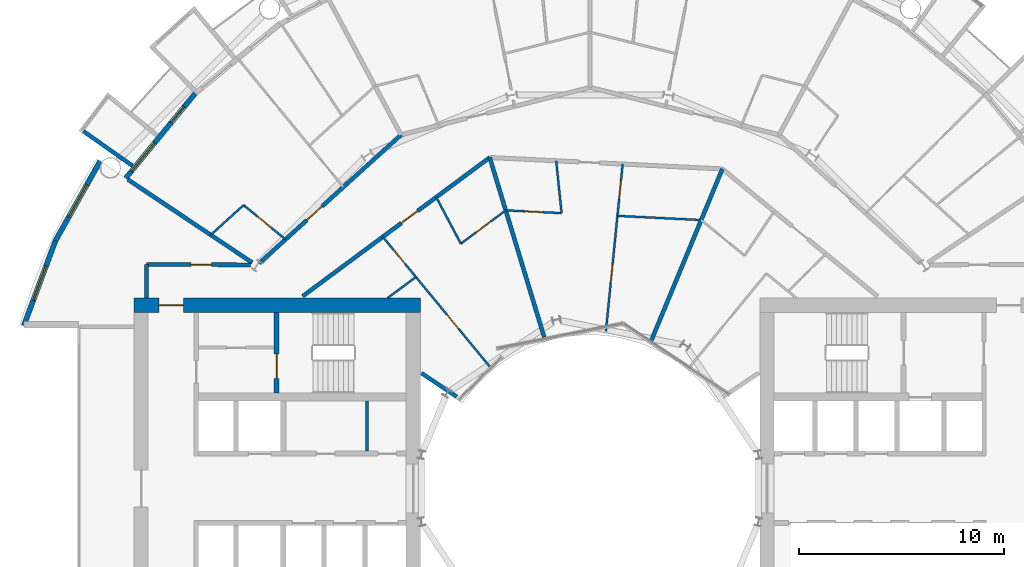
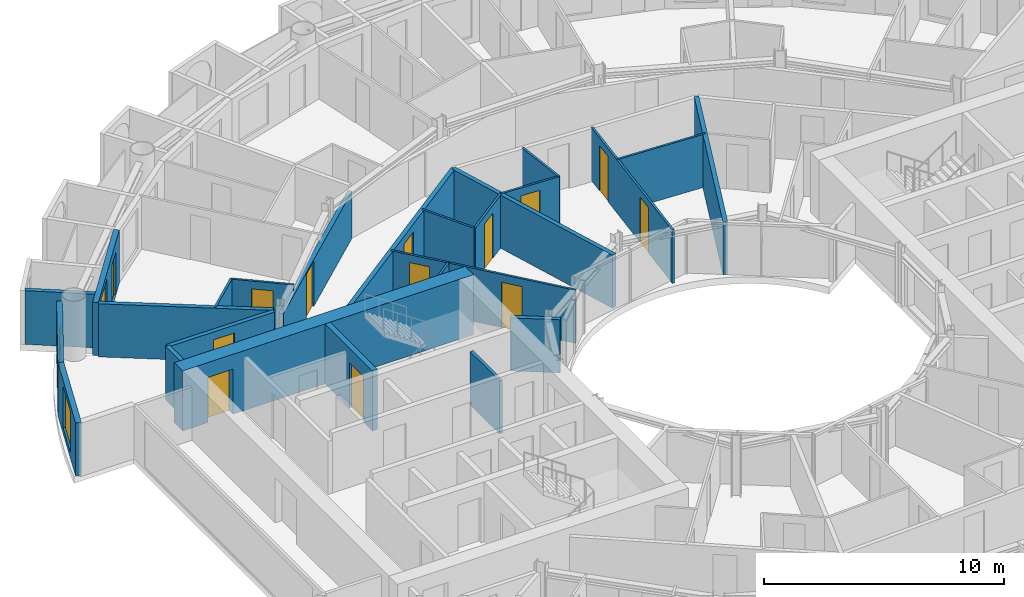
# One storey, part 18 of 26: 25 walls, 13 doors, 3 windows, 16 openings.
"""IFC4 building model written with IfcOpenShell, lengths in metres."""

from ifc_helpers import new_model, si_unit, direction, frame, frame_2d, origin, place, context, subcontext, project, spatial, rectangle, extrude, material, layer, layer_set, type_object, element, fill, save


model = new_model("IFC4")

# Units and contexts
model_context = context("Model", 3, precision=1e-05, world=origin(), true_north=direction((0.0, 1.0)))
body_context = subcontext(model_context, "Body", "Model", "MODEL_VIEW")
ifc_project = project(units=[si_unit("LENGTHUNIT", "METRE"), si_unit("AREAUNIT", "SQUARE_METRE"), si_unit("VOLUMEUNIT", "CUBIC_METRE"), si_unit("PLANEANGLEUNIT", "RADIAN"), si_unit("MASSUNIT", "GRAM", prefix="KILO")], contexts=[model_context])

# Site, building, storey
site_placement = place(None, origin())
site = spatial("IfcSite", under=ifc_project, at=site_placement, CompositionType="ELEMENT")
building_placement = place(site_placement, origin())
building = spatial("IfcBuilding", under=site, at=building_placement, Name="Maasbend Ring Residences", CompositionType="ELEMENT")
storey_placement = place(building_placement, frame((0.0, 0.0, 81.89990234375)))
storey = spatial("IfcBuildingStorey", under=building, at=storey_placement, Name="L23", CompositionType="ELEMENT", Elevation=81.89990234375)

# Wall, opening, door
ifc_material_1 = material(Name="Concrete C70/85", Category="concrete")
ifc_layer_1 = layer(ifc_material_1, 0.25)
ifc_layer_set_1 = layer_set([ifc_layer_1], Name="Concrete C70/85")
wall_type_1 = type_object("IfcWallType", Name="CORE WALL 250 C70/85", PredefinedType="SHEAR", material=ifc_layer_set_1)
wall_1_placement = place(storey_placement, frame((-15.324951171875, 8.60009765625, 0.0), z_axis=(0.0, 0.0, 1.0), x_axis=(0.0, -1.0, 0.0)))
wall_1 = element("IfcWall", 1, at=wall_1_placement, inside=storey, type_object=wall_type_1, Name="L23 core W wall STES", PredefinedType="SHEAR", context=body_context, shape_type="SweptSolid", body=[
    extrude(rectangle(XDim=3.9501953125, YDim=0.25, at=frame_2d((1.97509765625, 0.0))), origin(), (0.0, 0.0, 1.0), 3.050048828125),
])
opening_1_placement = place(wall_1_placement, frame((2.02490234375, 0.0, 0.0)))
opening_1 = element("IfcOpeningElement", 2, at=opening_1_placement, cuts=wall_1, Name="Opening D-W2310", PredefinedType="OPENING", context=body_context, shape_type="SweptSolid", body=[
    extrude(rectangle(XDim=1.199951171875, YDim=2.300048828125, at=frame_2d((0.60009765625, 1.14990234375))), frame((0.0, 0.135009765625, 0.0), z_axis=(0.0, -1.0, 0.0), x_axis=(1.0, 0.0, 0.0)), (0.0, 0.0, 1.0), 0.27001953125),
])
ifc_material_2 = material(Name="Steel, powder coated", Category="steel")
door_type_1 = type_object("IfcDoorType", Name="STAIR DOOR 1200 X 2300 FD60", OperationType="NOTDEFINED", PredefinedType="DOOR", material=ifc_material_2)
door_1_placement = place(opening_1_placement, origin())
door_1 = element("IfcDoor", 3, at=door_1_placement, inside=storey, type_object=door_type_1, Name="Stair door ST-W L23", OperationType="SINGLE_SWING_LEFT", OverallHeight=2.300048828125, OverallWidth=1.199951171875, PredefinedType="DOOR", context=body_context, shape_type="SweptSolid", body=[
    extrude(rectangle(XDim=1.199951171875, YDim=2.300048828125, at=frame_2d((0.60009765625, 1.14990234375))), frame((0.0, 0.02490234375, 0.0), z_axis=(0.0, -1.0, 0.0), x_axis=(1.0, 0.0, 0.0)), (0.0, 0.0, 1.0), 0.050048828125),
])
fill(opening_1, door_1)

ifc_material_3 = material(Name="Concrete C70/85", Category="concrete")
ifc_layer_2 = layer(ifc_material_3, 0.699951171875)
ifc_layer_set_2 = layer_set([ifc_layer_2], Name="Concrete C70/85")
wall_type_2 = type_object("IfcWallType", Name="CORE WALL 700 C70/85", PredefinedType="SHEAR", material=ifc_layer_set_2)
wall_2_placement = place(storey_placement, frame((-8.300048828125, 8.949951171875, 0.0), z_axis=(0.0, 0.0, 1.0), x_axis=(-1.0, 0.0, 0.0)))
wall_2 = element("IfcWall", 4, at=wall_2_placement, inside=storey, type_object=wall_type_2, Name="L23 core W wall PS", PredefinedType="SHEAR", context=body_context, shape_type="SweptSolid", body=[
    extrude(rectangle(XDim=14.0, YDim=0.699951171875, at=frame_2d((7.0, 0.0))), origin(), (0.0, 0.0, 1.0), 3.050048828125),
])
opening_2_placement = place(wall_2_placement, frame((11.574951171875, 0.0, 0.0)))
opening_2 = element("IfcOpeningElement", 5, at=opening_2_placement, cuts=wall_2, Name="Opening D-W2314", PredefinedType="OPENING", context=body_context, shape_type="SweptSolid", body=[
    extrude(rectangle(XDim=1.199951171875, YDim=2.300048828125, at=frame_2d((0.60009765625, 1.14990234375))), frame((0.0, 0.35986328125, 0.0), z_axis=(0.0, -1.0, 0.0), x_axis=(1.0, 0.0, 0.0)), (0.0, 0.0, 1.0), 0.719970703125),
])
ifc_material_4 = material(Name="Steel, powder coated", Category="steel")
door_type_2 = type_object("IfcDoorType", Name="CORRIDOR DOOR 1200 X 2300 FD30S", OperationType="NOTDEFINED", PredefinedType="DOOR", material=ifc_material_4)
door_2_placement = place(opening_2_placement, origin())
door_2 = element("IfcDoor", 6, at=door_2_placement, inside=storey, type_object=door_type_2, Name="Corridor door L23", OperationType="SINGLE_SWING_LEFT", OverallHeight=2.300048828125, OverallWidth=1.199951171875, PredefinedType="DOOR", context=body_context, shape_type="SweptSolid", body=[
    extrude(rectangle(XDim=1.199951171875, YDim=2.300048828125, at=frame_2d((0.60009765625, 1.14990234375))), frame((0.0, 0.02490234375, 0.0), z_axis=(0.0, -1.0, 0.0), x_axis=(1.0, 0.0, 0.0)), (0.0, 0.0, 1.0), 0.050048828125),
])
fill(opening_2, door_2)

ifc_material_5 = material(Name="Concrete C30/37", Category="concrete")
ifc_layer_3 = layer(ifc_material_5, 0.199951171875)
ifc_layer_set_3 = layer_set([ifc_layer_3], Name="Concrete C30/37")
wall_type_3 = type_object("IfcWallType", Name="CORRIDOR WALL 200 CONCRETE", PredefinedType="PARTITIONING", material=ifc_layer_set_3)
wall_3_placement = place(storey_placement, frame((-21.675048828125, 10.949951171875, 0.0), z_axis=(0.0, 0.0, 1.0), x_axis=(0.999988019025, -0.004895079807, 0.0)))
wall_3 = element("IfcWall", 7, at=wall_3_placement, inside=storey, type_object=wall_type_3, Name="U-L23-w084", PredefinedType="PARTITIONING", context=body_context, shape_type="SweptSolid", body=[
    extrude(rectangle(XDim=5.087158203125, YDim=0.199951171875, at=frame_2d((2.54345703125, 0.0))), origin(), (0.0, 0.0, 1.0), 2.7001953125),
])
opening_3_placement = place(wall_3_placement, frame((2.1630859375, 0.0, 0.0)))
opening_3 = element("IfcOpeningElement", 8, at=opening_3_placement, cuts=wall_3, Name="Opening D-2366", PredefinedType="OPENING", context=body_context, shape_type="SweptSolid", body=[
    extrude(rectangle(XDim=1.0, YDim=2.300048828125, at=frame_2d((0.5, 1.14990234375))), frame((0.0, 0.10986328125, 0.0), z_axis=(0.0, -1.0, 0.0), x_axis=(1.0, 0.0, 0.0)), (0.0, 0.0, 1.0), 0.219970703125),
])
ifc_material_6 = material(Name="Timber, painted", Category="wood")
door_type_3 = type_object("IfcDoorType", Name="ROOM DOOR 1000 X 2300", OperationType="NOTDEFINED", PredefinedType="DOOR", material=ifc_material_6)
door_3_placement = place(opening_3_placement, origin())
door_3 = element("IfcDoor", 9, at=door_3_placement, inside=storey, type_object=door_type_3, Name="D-2366", OperationType="SINGLE_SWING_RIGHT", OverallHeight=2.300048828125, OverallWidth=1.0, PredefinedType="DOOR", context=body_context, shape_type="SweptSolid", body=[
    extrude(rectangle(XDim=1.0, YDim=2.300048828125, at=frame_2d((0.5, 1.14990234375))), frame((0.0, 0.02490234375, 0.0), z_axis=(0.0, -1.0, 0.0), x_axis=(1.0, 0.0, 0.0)), (0.0, 0.0, 1.0), 0.050048828125),
])
fill(opening_3, door_3)

wall_4_placement = place(storey_placement, frame((-14.052001953125, 9.388916015625, 0.0), z_axis=(0.0, 0.0, 1.0), x_axis=(0.803204584823, 0.59570327758, 0.0)))
wall_4 = element("IfcWall", 10, at=wall_4_placement, inside=storey, type_object=wall_type_3, Name="U-L23-w092", PredefinedType="PARTITIONING", context=body_context, shape_type="SweptSolid", body=[
    extrude(rectangle(XDim=11.386962890625, YDim=0.199951171875, at=frame_2d((5.693359375, 0.0))), origin(), (0.0, 0.0, 1.0), 2.7001953125),
])
opening_4_placement = place(wall_4_placement, frame((6.007080078125, 0.0, 0.0)))
opening_4 = element("IfcOpeningElement", 11, at=opening_4_placement, cuts=wall_4, Name="Opening D-2329", PredefinedType="OPENING", context=body_context, shape_type="SweptSolid", body=[
    extrude(rectangle(XDim=1.0, YDim=2.300048828125, at=frame_2d((0.5, 1.14990234375))), frame((0.0, 0.10986328125, 0.0), z_axis=(0.0, -1.0, 0.0), x_axis=(1.0, 0.0, 0.0)), (0.0, 0.0, 1.0), 0.219970703125),
])
ifc_material_7 = material(Name="Timber, fire-rated, painted", Category="wood")
door_type_4 = type_object("IfcDoorType", Name="FLAT ENTRANCE DOOR 1000 X 2300 FIRE-RATED", OperationType="NOTDEFINED", PredefinedType="DOOR", material=ifc_material_7)
door_4_placement = place(opening_4_placement, origin())
door_4 = element("IfcDoor", 12, at=door_4_placement, inside=storey, type_object=door_type_4, Name="D-2329", OperationType="SINGLE_SWING_RIGHT", OverallHeight=2.300048828125, OverallWidth=1.0, PredefinedType="DOOR", context=body_context, shape_type="SweptSolid", body=[
    extrude(rectangle(XDim=1.0, YDim=2.300048828125, at=frame_2d((0.5, 1.14990234375))), frame((0.0, 0.02490234375, 0.0), z_axis=(0.0, -1.0, 0.0), x_axis=(1.0, 0.0, 0.0)), (0.0, 0.0, 1.0), 0.050048828125),
])
fill(opening_4, door_4)

wall_5_placement = place(storey_placement, frame((-16.179931640625, 10.9951171875, 0.0), z_axis=(0.0, 0.0, 1.0), x_axis=(0.741086986457, 0.671409024741, 0.0)))
wall_5 = element("IfcWall", 13, at=wall_5_placement, inside=storey, type_object=wall_type_3, Name="U-L23-w095", PredefinedType="PARTITIONING", context=body_context, shape_type="SweptSolid", body=[
    extrude(rectangle(XDim=9.372802734375, YDim=0.199951171875, at=frame_2d((4.6865234375, 0.0))), origin(), (0.0, 0.0, 1.0), 2.380126953125),
])
opening_5_placement = place(wall_5_placement, frame((3.152099609375, 0.0, 0.0)))
opening_5 = element("IfcOpeningElement", 14, at=opening_5_placement, cuts=wall_5, Name="Opening D-2316", PredefinedType="OPENING", context=body_context, shape_type="SweptSolid", body=[
    extrude(rectangle(XDim=1.0, YDim=2.300048828125, at=frame_2d((0.5, 1.14990234375))), frame((0.0, 0.10986328125, 0.0), z_axis=(0.0, -1.0, 0.0), x_axis=(1.0, 0.0, 0.0)), (0.0, 0.0, 1.0), 0.219970703125),
])
door_5_placement = place(opening_5_placement, origin())
door_5 = element("IfcDoor", 15, at=door_5_placement, inside=storey, type_object=door_type_4, Name="D-2316", OperationType="SINGLE_SWING_LEFT", OverallHeight=2.300048828125, OverallWidth=1.0, PredefinedType="DOOR", context=body_context, shape_type="SweptSolid", body=[
    extrude(rectangle(XDim=1.0, YDim=2.300048828125, at=frame_2d((0.5, 1.14990234375))), frame((0.0, 0.02490234375, 0.0), z_axis=(0.0, -1.0, 0.0), x_axis=(1.0, 0.0, 0.0)), (0.0, 0.0, 1.0), 0.050048828125),
])
fill(opening_5, door_5)

# Walls
wall_6_placement = place(storey_placement, frame((-21.675048828125, 9.300048828125, 0.0), z_axis=(0.0, 0.0, 1.0), x_axis=(0.0, 1.0, 0.0)))
element("IfcWall", 16, at=wall_6_placement, inside=storey, type_object=wall_type_3, Name="U-L23-w108", PredefinedType="PARTITIONING", context=body_context, shape_type="SweptSolid", body=[
    extrude(rectangle(XDim=1.64990234375, YDim=0.199951171875, at=frame_2d((0.824951171875, 0.0))), origin(), (0.0, 0.0, 1.0), 2.7001953125),
])
ifc_material_8 = material(Name="Pale anodised aluminium panel", Category="aluminium")
ifc_layer_4 = layer(ifc_material_8, 0.199951171875)
ifc_layer_set_4 = layer_set([ifc_layer_4], Name="EW-BOX")
wall_type_4 = type_object("IfcWallType", Name="EW-BOX", PredefinedType="SOLIDWALL", material=ifc_layer_set_4)
wall_7_placement = place(storey_placement, frame((-22.3701171875, 15.764892578125, -0.02978515625), z_axis=(0.0, 0.0, 1.0), x_axis=(-0.817256123454, 0.576274612209, 0.0)))
element("IfcWall", 17, at=wall_7_placement, inside=storey, type_object=wall_type_4, Name="Box side wall N20 right", PredefinedType="SOLIDWALL", context=body_context, shape_type="SweptSolid", body=[
    extrude(rectangle(XDim=2.932861328125, YDim=0.199951171875, at=frame_2d((1.46630859375, 0.0))), origin(), (0.0, 0.0, 1.0), 2.72998046875),
])

# Wall, openings, door, window
ifc_material_9 = material(Name="Aluminium clad insulated panel", Category="aluminium")
ifc_layer_5 = layer(ifc_material_9, 0.25)
ifc_layer_set_5 = layer_set([ifc_layer_5], Name="EW-GL")
wall_type_5 = type_object("IfcWallType", Name="EW-GL", PredefinedType="SOLIDWALL", material=ifc_layer_set_5)
wall_8_placement = place(storey_placement, frame((-19.303955078125, 19.303955078125, 0.0), z_axis=(0.0, 0.0, 1.0), x_axis=(-0.634382322723, -0.773019449054, 0.0)))
wall_8 = element("IfcWall", 18, at=wall_8_placement, inside=storey, type_object=wall_type_5, Name="External wall N10", PredefinedType="SOLIDWALL", context=body_context, shape_type="SweptSolid", body=[
    extrude(rectangle(XDim=5.351806640625, YDim=0.25, at=frame_2d((2.67578125, 0.0))), origin(), (0.0, 0.0, 1.0), 2.7001953125),
])
opening_6_placement = place(wall_8_placement, frame((0.841064453125, 0.0, 0.0)))
opening_6 = element("IfcOpeningElement", 19, at=opening_6_placement, cuts=wall_8, Name="Opening D-LG", PredefinedType="OPENING", context=body_context, shape_type="SweptSolid", body=[
    extrude(rectangle(XDim=1.0, YDim=2.199951171875, at=frame_2d((0.5, 1.10009765625))), frame((0.0, 0.135009765625, 0.0), z_axis=(0.0, -1.0, 0.0), x_axis=(1.0, 0.0, 0.0)), (0.0, 0.0, 1.0), 0.27001953125),
])
opening_7_placement = place(wall_8_placement, frame((3.110595703125, 0.0, 0.300048828125)))
opening_7 = element("IfcOpeningElement", 20, at=opening_7_placement, cuts=wall_8, Name="Opening W-BX", PredefinedType="OPENING", context=body_context, shape_type="SweptSolid", body=[
    extrude(rectangle(XDim=1.800048828125, YDim=2.10009765625, at=frame_2d((0.89990234375, 1.050048828125))), frame((0.0, 0.135009765625, 0.0), z_axis=(0.0, -1.0, 0.0), x_axis=(1.0, 0.0, 0.0)), (0.0, 0.0, 1.0), 0.27001953125),
])
ifc_material_10 = material(Name="Aluminium and clear glass", Category="aluminium")
door_type_5 = type_object("IfcDoorType", Name="D-LG", OperationType="SINGLE_SWING_LEFT", PredefinedType="DOOR", material=ifc_material_10)
door_6_placement = place(opening_6_placement, origin())
door_6 = element("IfcDoor", 21, at=door_6_placement, inside=storey, type_object=door_type_5, Name="Loggia door N19", OperationType="SINGLE_SWING_LEFT", OverallHeight=2.199951171875, OverallWidth=1.0, PredefinedType="DOOR", context=body_context, shape_type="SweptSolid", body=[
    extrude(rectangle(XDim=1.0, YDim=2.199951171875, at=frame_2d((0.5, 1.10009765625))), frame((0.0, 0.02490234375, 0.0), z_axis=(0.0, -1.0, 0.0), x_axis=(1.0, 0.0, 0.0)), (0.0, 0.0, 1.0), 0.050048828125),
])
fill(opening_6, door_6)
ifc_material_11 = material(Name="Aluminium and clear glass", Category="aluminium")
window_type = type_object("IfcWindowType", Name="W-BX", PartitioningType="DOUBLE_PANEL_VERTICAL", PredefinedType="WINDOW", material=ifc_material_11)
window_1_placement = place(opening_7_placement, origin())
window_1 = element("IfcWindow", 22, at=window_1_placement, inside=storey, type_object=window_type, Name="Window N20 room to box", OverallHeight=2.10009765625, OverallWidth=1.800048828125, PartitioningType="SINGLE_PANEL", PredefinedType="WINDOW", context=body_context, shape_type="SweptSolid", body=[
    extrude(rectangle(XDim=1.800048828125, YDim=2.10009765625, at=frame_2d((0.89990234375, 1.050048828125))), frame((0.0, 0.030029296875, 0.0), z_axis=(0.0, -1.0, 0.0), x_axis=(1.0, 0.0, 0.0)), (0.0, 0.0, 1.0), 0.06005859375),
])
fill(opening_7, window_1)

# Wall, opening, window
ifc_material_12 = material(Name="Aluminium clad insulated panel", Category="aluminium")
ifc_layer_6 = layer(ifc_material_12, 0.25)
ifc_layer_set_6 = layer_set([ifc_layer_6], Name="EW-HORN")
wall_type_6 = type_object("IfcWallType", Name="EW-HORN", PredefinedType="SOLIDWALL", material=ifc_layer_set_6)
wall_9_placement = place(storey_placement, frame((-23.946044921875, 16.0, 0.0), z_axis=(0.0, 0.0, 1.0), x_axis=(-0.489696356642, -0.871893042919, 0.0)))
wall_9 = element("IfcWall", 23, at=wall_9_placement, inside=storey, type_object=wall_type_6, Name="Horn wall 4.1", PredefinedType="SOLIDWALL", context=body_context, shape_type="SweptSolid", body=[
    extrude(rectangle(XDim=4.45361328125, YDim=0.25, at=frame_2d((2.226806640625, 0.0))), origin(), (0.0, 0.0, 1.0), 2.7001953125),
])
opening_8_placement = place(wall_9_placement, frame((1.32666015625, 0.0, 0.300048828125)))
opening_8 = element("IfcOpeningElement", 24, at=opening_8_placement, cuts=wall_9, Name="Opening W-BX", PredefinedType="OPENING", context=body_context, shape_type="SweptSolid", body=[
    extrude(rectangle(XDim=1.800048828125, YDim=2.10009765625, at=frame_2d((0.89990234375, 1.050048828125))), frame((0.0, 0.135009765625, 0.0), z_axis=(0.0, -1.0, 0.0), x_axis=(1.0, 0.0, 0.0)), (0.0, 0.0, 1.0), 0.27001953125),
])
window_2_placement = place(opening_8_placement, origin())
window_2 = element("IfcWindow", 25, at=window_2_placement, inside=storey, type_object=window_type, Name="Horn window 4.1", OverallHeight=2.10009765625, OverallWidth=1.800048828125, PartitioningType="SINGLE_PANEL", PredefinedType="WINDOW", context=body_context, shape_type="SweptSolid", body=[
    extrude(rectangle(XDim=1.800048828125, YDim=2.10009765625, at=frame_2d((0.89990234375, 1.050048828125))), frame((0.0, 0.030029296875, 0.0), z_axis=(0.0, -1.0, 0.0), x_axis=(1.0, 0.0, 0.0)), (0.0, 0.0, 1.0), 0.06005859375),
])
fill(opening_8, window_2)

wall_10_placement = place(storey_placement, frame((-26.126953125, 12.116943359375, 0.0), z_axis=(0.0, 0.0, 1.0), x_axis=(-0.349247811493, -0.937030397675, 0.0)))
wall_10 = element("IfcWall", 26, at=wall_10_placement, inside=storey, type_object=wall_type_6, Name="Horn wall 4.2", PredefinedType="SOLIDWALL", context=body_context, shape_type="SweptSolid", body=[
    extrude(rectangle(XDim=4.4521484375, YDim=0.25, at=frame_2d((2.22607421875, 0.0))), origin(), (0.0, 0.0, 1.0), 2.7001953125),
])
opening_9_placement = place(wall_10_placement, frame((1.32666015625, 0.0, 0.300048828125)))
opening_9 = element("IfcOpeningElement", 27, at=opening_9_placement, cuts=wall_10, Name="Opening W-BX", PredefinedType="OPENING", context=body_context, shape_type="SweptSolid", body=[
    extrude(rectangle(XDim=1.800048828125, YDim=2.10009765625, at=frame_2d((0.89990234375, 1.050048828125))), frame((0.0, 0.135009765625, 0.0), z_axis=(0.0, -1.0, 0.0), x_axis=(1.0, 0.0, 0.0)), (0.0, 0.0, 1.0), 0.27001953125),
])
window_3_placement = place(opening_9_placement, origin())
window_3 = element("IfcWindow", 28, at=window_3_placement, inside=storey, type_object=window_type, Name="Horn window 4.2", OverallHeight=2.10009765625, OverallWidth=1.800048828125, PartitioningType="SINGLE_PANEL", PredefinedType="WINDOW", context=body_context, shape_type="SweptSolid", body=[
    extrude(rectangle(XDim=1.800048828125, YDim=2.10009765625, at=frame_2d((0.89990234375, 1.050048828125))), frame((0.0, 0.030029296875, 0.0), z_axis=(0.0, -1.0, 0.0), x_axis=(1.0, 0.0, 0.0)), (0.0, 0.0, 1.0), 0.06005859375),
])
fill(opening_9, window_3)

# Wall, opening, door
ifc_material_13 = material(Name="Gypsum board on steel studs", Category="steel")
ifc_layer_7 = layer(ifc_material_13, 0.10009765625)
ifc_layer_set_7 = layer_set([ifc_layer_7], Name="PARTITION 100 GYPSUM")
wall_type_7 = type_object("IfcWallType", Name="PARTITION 100 GYPSUM", PredefinedType="PARTITIONING", material=ifc_layer_set_7)
wall_11_placement = place(storey_placement, frame((-16.93603515625, 13.844970703125, 0.0), z_axis=(0.0, 0.0, 1.0), x_axis=(0.774162545943, -0.632986850147, 0.0)))
wall_11 = element("IfcWall", 29, at=wall_11_placement, inside=storey, type_object=wall_type_7, Name="U-L23-w033", PredefinedType="PARTITIONING", context=body_context, shape_type="SweptSolid", body=[
    extrude(rectangle(XDim=2.6494140625, YDim=0.10009765625, at=frame_2d((1.32470703125, 0.0))), origin(), (0.0, 0.0, 1.0), 2.7001953125),
])
opening_10_placement = place(wall_11_placement, frame((0.875, 0.0, 0.0)))
opening_10 = element("IfcOpeningElement", 30, at=opening_10_placement, cuts=wall_11, Name="Opening D-2317", PredefinedType="OPENING", context=body_context, shape_type="SweptSolid", body=[
    extrude(rectangle(XDim=0.89990234375, YDim=2.300048828125, at=frame_2d((0.449951171875, 1.14990234375))), frame((0.0, 0.06005859375, 0.0), z_axis=(0.0, -1.0, 0.0), x_axis=(1.0, 0.0, 0.0)), (0.0, 0.0, 1.0), 0.1201171875),
])
ifc_material_14 = material(Name="Timber, painted", Category="wood")
door_type_6 = type_object("IfcDoorType", Name="INTERNAL DOOR 900 X 2300", OperationType="NOTDEFINED", PredefinedType="DOOR", material=ifc_material_14)
door_7_placement = place(opening_10_placement, origin())
door_7 = element("IfcDoor", 31, at=door_7_placement, inside=storey, type_object=door_type_6, Name="D-2317", OperationType="SINGLE_SWING_LEFT", OverallHeight=2.300048828125, OverallWidth=0.89990234375, PredefinedType="DOOR", context=body_context, shape_type="SweptSolid", body=[
    extrude(rectangle(XDim=0.89990234375, YDim=2.300048828125, at=frame_2d((0.449951171875, 1.14990234375))), frame((0.0, 0.02490234375, 0.0), z_axis=(0.0, -1.0, 0.0), x_axis=(1.0, 0.0, 0.0)), (0.0, 0.0, 1.0), 0.050048828125),
])
fill(opening_10, door_7)

# Wall, openings, doors
wall_12_placement = place(storey_placement, frame((-10.132080078125, 12.2958984375, 0.0), z_axis=(0.0, 0.0, 1.0), x_axis=(0.635976043025, -0.771708800454, 0.0)))
wall_12 = element("IfcWall", 32, at=wall_12_placement, inside=storey, type_object=wall_type_7, Name="U-L23-w040", PredefinedType="PARTITIONING", context=body_context, shape_type="SweptSolid", body=[
    extrude(rectangle(XDim=8.212890625, YDim=0.10009765625, at=frame_2d((4.1064453125, 0.0))), origin(), (0.0, 0.0, 1.0), 2.7001953125),
])
opening_11_placement = place(wall_12_placement, frame((0.822998046875, 0.0, 0.0)))
opening_11 = element("IfcOpeningElement", 33, at=opening_11_placement, cuts=wall_12, Name="Opening D-2331", PredefinedType="OPENING", context=body_context, shape_type="SweptSolid", body=[
    extrude(rectangle(XDim=0.89990234375, YDim=2.300048828125, at=frame_2d((0.449951171875, 1.14990234375))), frame((0.0, 0.06005859375, 0.0), z_axis=(0.0, -1.0, 0.0), x_axis=(1.0, 0.0, 0.0)), (0.0, 0.0, 1.0), 0.1201171875),
])
opening_12_placement = place(wall_12_placement, frame((4.928955078125, 0.0, 0.0)))
opening_12 = element("IfcOpeningElement", 34, at=opening_12_placement, cuts=wall_12, Name="Opening D-2332", PredefinedType="OPENING", context=body_context, shape_type="SweptSolid", body=[
    extrude(rectangle(XDim=0.89990234375, YDim=2.300048828125, at=frame_2d((0.449951171875, 1.14990234375))), frame((0.0, 0.06005859375, 0.0), z_axis=(0.0, -1.0, 0.0), x_axis=(1.0, 0.0, 0.0)), (0.0, 0.0, 1.0), 0.1201171875),
])
door_8_placement = place(opening_11_placement, origin())
door_8 = element("IfcDoor", 35, at=door_8_placement, inside=storey, type_object=door_type_6, Name="D-2331", OperationType="SINGLE_SWING_LEFT", OverallHeight=2.300048828125, OverallWidth=0.89990234375, PredefinedType="DOOR", context=body_context, shape_type="SweptSolid", body=[
    extrude(rectangle(XDim=0.89990234375, YDim=2.300048828125, at=frame_2d((0.449951171875, 1.14990234375))), frame((0.0, 0.02490234375, 0.0), z_axis=(0.0, -1.0, 0.0), x_axis=(1.0, 0.0, 0.0)), (0.0, 0.0, 1.0), 0.050048828125),
])
fill(opening_11, door_8)
door_9_placement = place(opening_12_placement, origin())
door_9 = element("IfcDoor", 36, at=door_9_placement, inside=storey, type_object=door_type_6, Name="D-2332", OperationType="SINGLE_SWING_RIGHT", OverallHeight=2.300048828125, OverallWidth=0.89990234375, PredefinedType="DOOR", context=body_context, shape_type="SweptSolid", body=[
    extrude(rectangle(XDim=0.89990234375, YDim=2.300048828125, at=frame_2d((0.449951171875, 1.14990234375))), frame((0.0, 0.02490234375, 0.0), z_axis=(0.0, -1.0, 0.0), x_axis=(1.0, 0.0, 0.0)), (0.0, 0.0, 1.0), 0.050048828125),
])
fill(opening_12, door_9)

# Walls
wall_13_placement = place(storey_placement, frame((-7.51904296875, 14.23388671875, 0.0), z_axis=(0.0, 0.0, 1.0), x_axis=(0.467001992543, -0.884256263173, 0.0)))
element("IfcWall", 37, at=wall_13_placement, inside=storey, type_object=wall_type_7, Name="U-L23-w044", PredefinedType="PARTITIONING", context=body_context, shape_type="SweptSolid", body=[
    extrude(rectangle(XDim=2.571533203125, YDim=0.10009765625, at=frame_2d((1.28564453125, 0.0))), origin(), (0.0, 0.0, 1.0), 2.7001953125),
])
wall_14_placement = place(storey_placement, frame((-1.656005859375, 16.012939453125, 0.0), z_axis=(0.0, 0.0, 1.0), x_axis=(0.102594773028, -0.994723234145, 0.0)))
element("IfcWall", 38, at=wall_14_placement, inside=storey, type_object=wall_type_7, Name="U-L23-w051", PredefinedType="PARTITIONING", context=body_context, shape_type="SweptSolid", body=[
    extrude(rectangle(XDim=2.572509765625, YDim=0.10009765625, at=frame_2d((1.2861328125, 0.0))), origin(), (0.0, 0.0, 1.0), 2.7001953125),
])

# Wall, openings, doors
wall_15_placement = place(storey_placement, frame((0.77392578125, 7.680908203125, 0.0), z_axis=(0.0, 0.0, 1.0), x_axis=(0.099730339513, 0.995014502096, 0.0)))
wall_15 = element("IfcWall", 39, at=wall_15_placement, inside=storey, type_object=wall_type_7, Name="U-L23-w055", PredefinedType="PARTITIONING", context=body_context, shape_type="SweptSolid", body=[
    extrude(rectangle(XDim=8.213134765625, YDim=0.10009765625, at=frame_2d((4.1064453125, 0.0))), origin(), (0.0, 0.0, 1.0), 2.7001953125),
])
opening_13_placement = place(wall_15_placement, frame((6.489990234375, 0.0, 0.0)))
opening_13 = element("IfcOpeningElement", 40, at=opening_13_placement, cuts=wall_15, Name="Opening D-2327", PredefinedType="OPENING", context=body_context, shape_type="SweptSolid", body=[
    extrude(rectangle(XDim=0.89990234375, YDim=2.300048828125, at=frame_2d((0.449951171875, 1.14990234375))), frame((0.0, 0.06005859375, 0.0), z_axis=(0.0, -1.0, 0.0), x_axis=(1.0, 0.0, 0.0)), (0.0, 0.0, 1.0), 0.1201171875),
])
opening_14_placement = place(wall_15_placement, frame((2.384033203125, 0.0, 0.0)))
opening_14 = element("IfcOpeningElement", 41, at=opening_14_placement, cuts=wall_15, Name="Opening D-2328", PredefinedType="OPENING", context=body_context, shape_type="SweptSolid", body=[
    extrude(rectangle(XDim=0.89990234375, YDim=2.300048828125, at=frame_2d((0.449951171875, 1.14990234375))), frame((0.0, 0.06005859375, 0.0), z_axis=(0.0, -1.0, 0.0), x_axis=(1.0, 0.0, 0.0)), (0.0, 0.0, 1.0), 0.1201171875),
])
door_10_placement = place(opening_13_placement, origin())
door_10 = element("IfcDoor", 42, at=door_10_placement, inside=storey, type_object=door_type_6, Name="D-2327", OperationType="SINGLE_SWING_RIGHT", OverallHeight=2.300048828125, OverallWidth=0.89990234375, PredefinedType="DOOR", context=body_context, shape_type="SweptSolid", body=[
    extrude(rectangle(XDim=0.89990234375, YDim=2.300048828125, at=frame_2d((0.449951171875, 1.14990234375))), frame((0.0, 0.02490234375, 0.0), z_axis=(0.0, -1.0, 0.0), x_axis=(1.0, 0.0, 0.0)), (0.0, 0.0, 1.0), 0.050048828125),
])
fill(opening_13, door_10)
door_11_placement = place(opening_14_placement, origin())
door_11 = element("IfcDoor", 43, at=door_11_placement, inside=storey, type_object=door_type_6, Name="D-2328", OperationType="SINGLE_SWING_LEFT", OverallHeight=2.300048828125, OverallWidth=0.89990234375, PredefinedType="DOOR", context=body_context, shape_type="SweptSolid", body=[
    extrude(rectangle(XDim=0.89990234375, YDim=2.300048828125, at=frame_2d((0.449951171875, 1.14990234375))), frame((0.0, 0.02490234375, 0.0), z_axis=(0.0, -1.0, 0.0), x_axis=(1.0, 0.0, 0.0)), (0.0, 0.0, 1.0), 0.050048828125),
])
fill(opening_14, door_11)

# Wall
wall_16_placement = place(storey_placement, frame((-9.903076171875, 9.300048828125, 0.0), z_axis=(0.0, 0.0, 1.0), x_axis=(0.803135014325, 0.595797070121, 0.0)))
element("IfcWall", 44, at=wall_16_placement, inside=storey, type_object=wall_type_7, Name="U-L23-w086", PredefinedType="PARTITIONING", context=body_context, shape_type="SweptSolid", body=[
    extrude(rectangle(XDim=1.732177734375, YDim=0.10009765625, at=frame_2d((0.8662109375, 0.0))), origin(), (0.0, 0.0, 1.0), 2.7001953125),
])

# Wall, opening, door
wall_17_placement = place(storey_placement, frame((-6.318115234375, 11.9599609375, 0.0), z_axis=(0.0, 0.0, 1.0), x_axis=(0.803128348509, 0.595806055542, 0.0)))
wall_17 = element("IfcWall", 45, at=wall_17_placement, inside=storey, type_object=wall_type_7, Name="U-L23-w087", PredefinedType="PARTITIONING", context=body_context, shape_type="SweptSolid", body=[
    extrude(rectangle(XDim=2.734375, YDim=0.10009765625, at=frame_2d((1.3671875, 0.0))), origin(), (0.0, 0.0, 1.0), 2.7001953125),
])
opening_15_placement = place(wall_17_placement, frame((0.9169921875, 0.0, 0.0)))
opening_15 = element("IfcOpeningElement", 46, at=opening_15_placement, cuts=wall_17, Name="Opening D-2330", PredefinedType="OPENING", context=body_context, shape_type="SweptSolid", body=[
    extrude(rectangle(XDim=0.89990234375, YDim=2.300048828125, at=frame_2d((0.449951171875, 1.14990234375))), frame((0.0, 0.06005859375, 0.0), z_axis=(0.0, -1.0, 0.0), x_axis=(1.0, 0.0, 0.0)), (0.0, 0.0, 1.0), 0.1201171875),
])
door_12_placement = place(opening_15_placement, origin())
door_12 = element("IfcDoor", 47, at=door_12_placement, inside=storey, type_object=door_type_6, Name="D-2330", OperationType="SINGLE_SWING_RIGHT", OverallHeight=2.300048828125, OverallWidth=0.89990234375, PredefinedType="DOOR", context=body_context, shape_type="SweptSolid", body=[
    extrude(rectangle(XDim=0.89990234375, YDim=2.300048828125, at=frame_2d((0.449951171875, 1.14990234375))), frame((0.0, 0.02490234375, 0.0), z_axis=(0.0, -1.0, 0.0), x_axis=(1.0, 0.0, 0.0)), (0.0, 0.0, 1.0), 0.050048828125),
])
fill(opening_15, door_12)

wall_18_placement = place(storey_placement, frame((-4.1220703125, 13.589111328125, 0.0), z_axis=(0.0, 0.0, 1.0), x_axis=(0.998779365748, -0.049394114582, 0.0)))
wall_18 = element("IfcWall", 48, at=wall_18_placement, inside=storey, type_object=wall_type_7, Name="U-L23-w088", PredefinedType="PARTITIONING", context=body_context, shape_type="SweptSolid", body=[
    extrude(rectangle(XDim=2.7333984375, YDim=0.10009765625, at=frame_2d((1.36669921875, 0.0))), origin(), (0.0, 0.0, 1.0), 2.7001953125),
])
opening_16_placement = place(wall_18_placement, frame((0.9169921875, 0.0, 0.0)))
opening_16 = element("IfcOpeningElement", 49, at=opening_16_placement, cuts=wall_18, Name="Opening D-2326", PredefinedType="OPENING", context=body_context, shape_type="SweptSolid", body=[
    extrude(rectangle(XDim=0.89990234375, YDim=2.300048828125, at=frame_2d((0.449951171875, 1.14990234375))), frame((0.0, 0.06005859375, 0.0), z_axis=(0.0, -1.0, 0.0), x_axis=(1.0, 0.0, 0.0)), (0.0, 0.0, 1.0), 0.1201171875),
])
door_13_placement = place(opening_16_placement, origin())
door_13 = element("IfcDoor", 50, at=door_13_placement, inside=storey, type_object=door_type_6, Name="D-2326", OperationType="SINGLE_SWING_LEFT", OverallHeight=2.300048828125, OverallWidth=0.89990234375, PredefinedType="DOOR", context=body_context, shape_type="SweptSolid", body=[
    extrude(rectangle(XDim=0.89990234375, YDim=2.300048828125, at=frame_2d((0.449951171875, 1.14990234375))), frame((0.0, 0.02490234375, 0.0), z_axis=(0.0, -1.0, 0.0), x_axis=(1.0, 0.0, 0.0)), (0.0, 0.0, 1.0), 0.050048828125),
])
fill(opening_16, door_13)

# Walls
wall_19_placement = place(storey_placement, frame((1.343994140625, 13.319091796875, 0.0), z_axis=(0.0, 0.0, 1.0), x_axis=(0.998772010578, -0.049542616872, 0.0)))
element("IfcWall", 51, at=wall_19_placement, inside=storey, type_object=wall_type_7, Name="U-L23-w089", PredefinedType="PARTITIONING", context=body_context, shape_type="SweptSolid", body=[
    extrude(rectangle(XDim=4.10009765625, YDim=0.10009765625, at=frame_2d((2.050048828125, 0.0))), origin(), (0.0, 0.0, 1.0), 2.7001953125),
])
wall_20_placement = place(storey_placement, frame((-18.5400390625, 12.39208984375, 0.0), z_axis=(0.0, 0.0, 1.0), x_axis=(0.741319612235, 0.671152167929, 0.0)))
element("IfcWall", 52, at=wall_20_placement, inside=storey, type_object=wall_type_7, Name="U-L23-w099", PredefinedType="PARTITIONING", context=body_context, shape_type="SweptSolid", body=[
    extrude(rectangle(XDim=2.167724609375, YDim=0.10009765625, at=frame_2d((1.083984375, 0.0))), origin(), (0.0, 0.0, 1.0), 2.7001953125),
])
ifc_material_15 = material(Name="Gypsum board on steel studs", Category="steel")
ifc_layer_8 = layer(ifc_material_15, 0.14990234375)
ifc_layer_set_8 = layer_set([ifc_layer_8], Name="PARTITION 150 EI 60")
wall_type_8 = type_object("IfcWallType", Name="PARTITION 150 EI 60", PredefinedType="PARTITIONING", material=ifc_layer_set_8)
wall_21_placement = place(storey_placement, frame((-10.89990234375, 1.824951171875, 0.0), z_axis=(0.0, 0.0, 1.0), x_axis=(0.0, 1.0, 0.0)))
element("IfcWall", 53, at=wall_21_placement, inside=storey, type_object=wall_type_8, Name="L23 core W wall PRS1090", PredefinedType="PARTITIONING", context=body_context, shape_type="SweptSolid", body=[
    extrude(rectangle(XDim=2.449951171875, YDim=0.14990234375, at=frame_2d((1.22509765625, 0.0))), origin(), (0.0, 0.0, 1.0), 2.7001953125),
])
ifc_material_16 = material(Name="Concrete C30/37", Category="concrete")
ifc_layer_9 = layer(ifc_material_16, 0.199951171875)
ifc_layer_set_9 = layer_set([ifc_layer_9], Name="Concrete C30/37")
wall_type_9 = type_object("IfcWallType", Name="PARTY WALL 200 CONCRETE", PredefinedType="PARTITIONING", material=ifc_layer_set_9)
wall_22_placement = place(storey_placement, frame((-22.594970703125, 15.097900390625, 0.0), z_axis=(0.0, 0.0, 1.0), x_axis=(0.831382022135, -0.555701298605, 0.0)))
element("IfcWall", 54, at=wall_22_placement, inside=storey, type_object=wall_type_9, Name="U-L23-w029", PredefinedType="PARTITIONING", context=body_context, shape_type="SweptSolid", body=[
    extrude(rectangle(XDim=7.313232421875, YDim=0.199951171875, at=frame_2d((3.65673828125, 0.0))), origin(), (0.0, 0.0, 1.0), 2.7001953125),
])
wall_23_placement = place(storey_placement, frame((-4.906005859375, 16.172119140625, 0.0), z_axis=(0.0, 0.0, 1.0), x_axis=(0.290323311932, -0.956928615179, 0.0)))
element("IfcWall", 55, at=wall_23_placement, inside=storey, type_object=wall_type_9, Name="U-L23-w047", PredefinedType="PARTITIONING", context=body_context, shape_type="SweptSolid", body=[
    extrude(rectangle(XDim=9.179443359375, YDim=0.199951171875, at=frame_2d((4.58984375, 0.0))), origin(), (0.0, 0.0, 1.0), 2.7001953125),
])
wall_24_placement = place(storey_placement, frame((2.955078125, 7.132080078125, 0.0), z_axis=(0.0, 0.0, 1.0), x_axis=(0.382556139466, 0.923932248683, 0.0)))
element("IfcWall", 56, at=wall_24_placement, inside=storey, type_object=wall_type_9, Name="U-L23-w060", PredefinedType="PARTITIONING", context=body_context, shape_type="SweptSolid", body=[
    extrude(rectangle(XDim=9.18017578125, YDim=0.199951171875, at=frame_2d((4.590087890625, 0.0))), origin(), (0.0, 0.0, 1.0), 2.7001953125),
])
wall_25_placement = place(storey_placement, frame((-6.512939453125, 4.471923828125, 0.0), z_axis=(0.0, 0.0, 1.0), x_axis=(-0.831382204863, 0.555701025225, 0.0)))
element("IfcWall", 57, at=wall_25_placement, inside=storey, type_object=wall_type_9, Name="U-L23-w082", PredefinedType="PARTITIONING", context=body_context, shape_type="SweptSolid", body=[
    extrude(rectangle(XDim=2.08203125, YDim=0.199951171875, at=frame_2d((1.041015625, 0.0))), origin(), (0.0, 0.0, 1.0), 2.7001953125),
])

save(model, "model.ifc")
